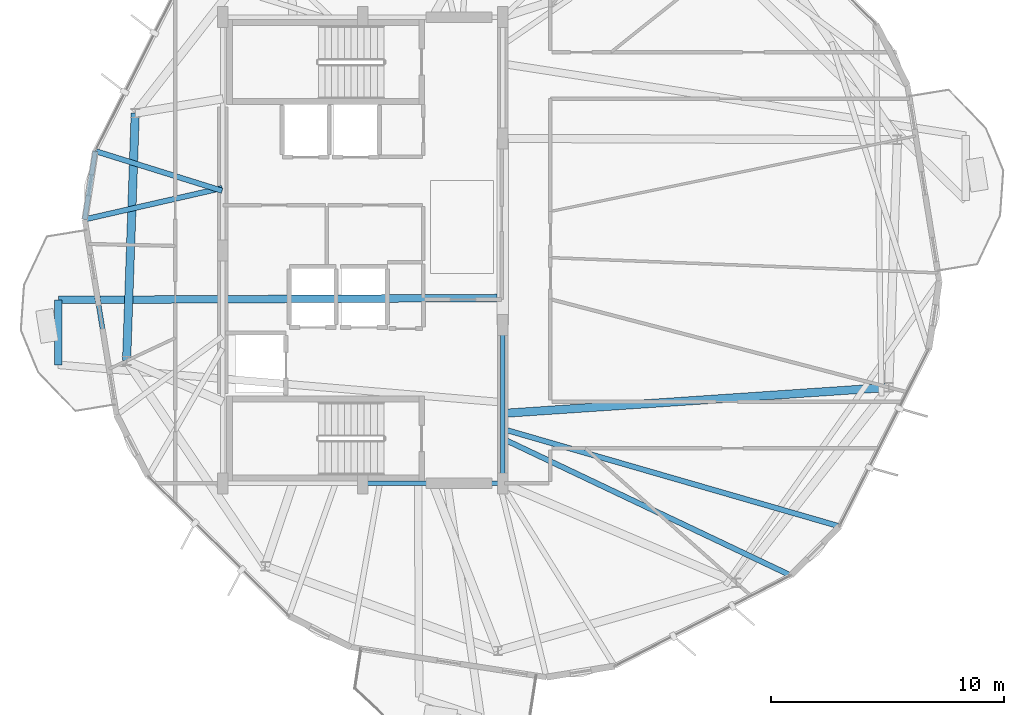
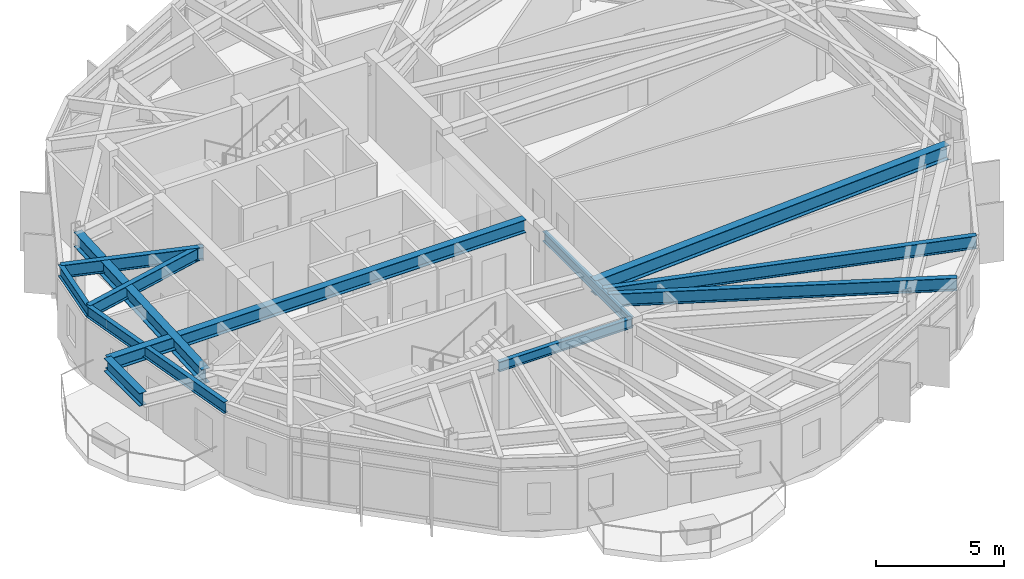
# One storey, part 6 of 22: 12 beams.
"""IFC4 building model written with IfcOpenShell, lengths in metres."""

import ifcopenshell
import ifcopenshell.guid

model = None  # the IFC model being written
_history = None  # IfcOwnerHistory: only IFC2X3 demands one
_inside = {}  # id of a spatial element -> (the spatial element, [elements in it])
_under = {}  # id of a project, library or spatial element -> (it, [spatial elements below it])
_declared = {}  # id of a project -> (the project, [libraries it declares])
_typed = {}  # id of a type object -> (the type object, [elements of that type])
_made_of = {}  # id of a material, layer set ... -> (it, [elements and type objects made of it])


def new_model(schema):
    """Start an empty IFC model of exactly this schema.

    Asked for "IFC4X3", IfcOpenShell would pick the latest addendum, in which some entities
    have other attributes; the version numbers below select the first issue.
    IFC2X3 requires an IfcOwnerHistory on every rooted entity: one is made here for all.
    """
    global model, _history
    if schema == "IFC4X3":
        model = ifcopenshell.file(schema_version=(4, 3, 0, 0))
    else:
        model = ifcopenshell.file(schema=schema)
    _inside.clear()
    _under.clear()
    _declared.clear()
    _typed.clear()
    _made_of.clear()
    _history = None
    if model.schema == "IFC2X3":
        org = make("IfcOrganization", Name="unknown")
        user = make(
            "IfcPersonAndOrganization",
            ThePerson=make("IfcPerson", FamilyName="unknown"),
            TheOrganization=org,
        )
        app = make(
            "IfcApplication",
            ApplicationDeveloper=org,
            Version="unknown",
            ApplicationFullName="unknown",
            ApplicationIdentifier="unknown",
        )
        _history = make(
            "IfcOwnerHistory",
            OwningUser=user,
            OwningApplication=app,
            ChangeAction="ADDED",
            CreationDate=0,
        )
    return model


def make(cls, **values):
    """One entity of the class cls with the attributes given. An attribute that is None is left unset."""
    return model.create_entity(
        cls, **{name: value for name, value in values.items() if value is not None}
    )


def rooted(cls, **values):
    """An entity with a GlobalId (a new one), such as an element, a storey or a relation."""
    return make(cls, GlobalId=ifcopenshell.guid.new(), OwnerHistory=_history, **values)


def si_unit(unit_type, name, prefix=None):
    """IfcSIUnit, for example si_unit("LENGTHUNIT", "METRE", prefix="MILLI")."""
    return make("IfcSIUnit", UnitType=unit_type, Prefix=prefix, Name=name)


def assignment(units):
    """IfcUnitAssignment: the units of a project."""
    return None if units is None else make("IfcUnitAssignment", Units=units)


def point(xyz):
    """IfcCartesianPoint."""
    return None if xyz is None else make("IfcCartesianPoint", Coordinates=xyz)


def direction(xyz):
    """IfcDirection."""
    return None if xyz is None else make("IfcDirection", DirectionRatios=xyz)


def frame(location, z_axis=None, x_axis=None):
    """IfcAxis2Placement3D, a coordinate frame: its origin and axes. An axis left out is left unset."""
    return make(
        "IfcAxis2Placement3D",
        Location=point(location),
        Axis=direction(z_axis),
        RefDirection=direction(x_axis),
    )


def frame_2d(location, x_axis=None):
    """IfcAxis2Placement2D, a coordinate frame in the plane: its origin and x axis."""
    return make(
        "IfcAxis2Placement2D", Location=point(location), RefDirection=direction(x_axis)
    )


def origin():
    """The frame at (0, 0, 0) with its axes left unset."""
    return frame((0.0, 0.0, 0.0))


def origin_2d():
    """The frame at (0, 0) in the plane with its x axis left unset."""
    return frame_2d((0.0, 0.0))


def place(relative_to, where):
    """IfcLocalPlacement: puts the frame where relative to a parent placement (None: the world)."""
    return make(
        "IfcLocalPlacement", PlacementRelTo=relative_to, RelativePlacement=where
    )


def context(
    kind, dimensions, precision=None, world=None, true_north=None, identifier=None
):
    """IfcGeometricRepresentationContext, for example the 3D "Model" context."""
    return make(
        "IfcGeometricRepresentationContext",
        ContextIdentifier=identifier,
        ContextType=kind,
        CoordinateSpaceDimension=dimensions,
        Precision=precision,
        WorldCoordinateSystem=world,
        TrueNorth=true_north,
    )


def subcontext(parent, identifier, kind, view, scale=None):
    """IfcGeometricRepresentationSubContext, for example "Body" below "Model"."""
    return make(
        "IfcGeometricRepresentationSubContext",
        ContextIdentifier=identifier,
        ContextType=kind,
        ParentContext=parent,
        TargetScale=scale,
        TargetView=view,
    )


def project(units=None, contexts=None):
    """IfcProject with its units and contexts."""
    return rooted(
        "IfcProject",
        Name="project",
        RepresentationContexts=contexts,
        UnitsInContext=assignment(units),
    )


def spatial(cls, under=None, at=None, **own):
    """A site, building, storey or space (cls), placed at a placement, below another one or the project."""
    s = rooted(cls, ObjectPlacement=at, **own)
    if under is not None:
        _under.setdefault(under.id(), (under, []))[1].append(s)
    return s


def profile(cls, at=None, kind="AREA", **sizes):
    """A parametric profile (cls). Its sizes go by their IFC names, for example OverallWidth=200.0."""
    return make(cls, ProfileType=kind, Position=at, **sizes)


def i_section(**sizes):
    """IfcIShapeProfileDef."""
    return profile("IfcIShapeProfileDef", **sizes)


def extrude(swept, where, along, depth):
    """IfcExtrudedAreaSolid: the profile swept, set in the frame where, extruded along a direction by depth."""
    return make(
        "IfcExtrudedAreaSolid",
        SweptArea=swept,
        Position=where,
        ExtrudedDirection=direction(along),
        Depth=depth,
    )


def shape(context_of_items, identifier, shape_type, items):
    """IfcShapeRepresentation: the items that make up one representation, for example the "Body"."""
    return make(
        "IfcShapeRepresentation",
        ContextOfItems=context_of_items,
        RepresentationIdentifier=identifier,
        RepresentationType=shape_type,
        Items=items,
    )


def material(Name=None, Category=None):
    """IfcMaterial."""
    return make("IfcMaterial", Name=Name, Category=Category)


def material_profile(
    of_material, cross_section, Name=None, Category=None, Priority=None
):
    """IfcMaterialProfile: a cross section and its material."""
    return make(
        "IfcMaterialProfile",
        Name=Name,
        Material=of_material,
        Profile=cross_section,
        Priority=Priority,
        Category=Category,
    )


def profile_set(profiles, Name=None, composite=None):
    """IfcMaterialProfileSet."""
    return make(
        "IfcMaterialProfileSet",
        Name=Name,
        MaterialProfiles=profiles,
        CompositeProfile=composite,
    )


def made_of(thing, what):
    """Note that an element or type object is made of a material, layer set ...; save() writes the relation."""
    if what is not None:
        _made_of.setdefault(what.id(), (what, []))[1].append(thing)
    return thing


def type_object(cls, material=None, **own):
    """A type object (cls), such as IfcWallType, which elements share."""
    return made_of(rooted(cls, **own), material)


def element(
    cls,
    number,
    at=None,
    inside=None,
    cuts=None,
    type_object=None,
    material=None,
    context=None,
    identifier="Body",
    shape_type=None,
    held_by="IfcProductDefinitionShape",
    body=None,
    shapes=None,
    **own,
):
    """One element of the class cls, such as IfcWall. Its Tag is "e" and its number.

    at: its placement. inside: the storey or other place that contains it. cuts: it is an
    opening in that element (IfcRelVoidsElement). A single representation is given by context,
    identifier, shape_type and body (its items); several are given by shapes. held_by: the class
    of the entity that holds the representations. save() writes the other relations.
    """
    e = rooted(cls, Tag="e%d" % number, ObjectPlacement=at, **own)
    if body is not None:
        shapes = [shape(context, identifier, shape_type, body)]
    if shapes is not None:
        e.Representation = make(held_by, Representations=shapes)
    if inside is not None:
        _inside.setdefault(inside.id(), (inside, []))[1].append(e)
    if cuts is not None:
        rooted(
            "IfcRelVoidsElement", RelatingBuildingElement=cuts, RelatedOpeningElement=e
        )
    if type_object is not None:
        _typed.setdefault(type_object.id(), (type_object, []))[1].append(e)
    return made_of(e, material)


def aggregate(whole, parts):
    """IfcRelAggregates: a whole, such as a stair, and the parts it consists of."""
    return rooted("IfcRelAggregates", RelatingObject=whole, RelatedObjects=parts)


def save(model, path):
    """Write the relations noted so far, then the file.

    IfcRelAggregates (storeys below a building ...), IfcRelContainedInSpatialStructure (elements
    in a storey), IfcRelDefinesByType, IfcRelAssociatesMaterial and IfcRelDeclares: one each for
    every whole, place, type object, material and project.
    """
    for whole, parts in _under.values():
        aggregate(whole, parts)
    for where, things in _inside.values():
        rooted(
            "IfcRelContainedInSpatialStructure",
            RelatedElements=things,
            RelatingStructure=where,
        )
    for kind, things in _typed.values():
        rooted("IfcRelDefinesByType", RelatedObjects=things, RelatingType=kind)
    for what, things in _made_of.values():
        rooted("IfcRelAssociatesMaterial", RelatedObjects=things, RelatingMaterial=what)
    for by, libraries in _declared.values():
        rooted("IfcRelDeclares", RelatingContext=by, RelatedDefinitions=libraries)
    model.write(path)


model = new_model("IFC4")

# Units and contexts
model_context = context("Model", 3, precision=1e-05, world=origin(), true_north=direction((0.0, 1.0)))
body_context = subcontext(model_context, "Body", "Model", "MODEL_VIEW")
ifc_project = project(units=[si_unit("LENGTHUNIT", "METRE"), si_unit("AREAUNIT", "SQUARE_METRE"), si_unit("VOLUMEUNIT", "CUBIC_METRE"), si_unit("PLANEANGLEUNIT", "RADIAN"), si_unit("MASSUNIT", "GRAM", prefix="KILO")], contexts=[model_context])

# Site, building, storey
site_placement = place(None, origin())
site = spatial("IfcSite", under=ifc_project, at=site_placement, CompositionType="ELEMENT")
building_placement = place(site_placement, origin())
building = spatial("IfcBuilding", under=site, at=building_placement, Name="Soratama Intermodal Tower", CompositionType="ELEMENT")
storey_placement = place(building_placement, frame((0.0, 0.0, 265.0)))
storey = spatial("IfcBuildingStorey", under=building, at=storey_placement, Name="L67", CompositionType="ELEMENT", Elevation=265.0)

# Beams
ifc_material_1 = material(Name="Structural steel ASTM A992 Grade 50", Category="steel")
ifc_material_profile_1 = material_profile(ifc_material_1, i_section(OverallWidth=0.324951171875, OverallDepth=0.615966796875, WebThickness=0.013916015625, FlangeThickness=0.021484375, FilletRadius=0.013916015625, at=origin_2d()), Name="W24X117")
ifc_profile_set_1 = profile_set([ifc_material_profile_1], Name="Structural steel ASTM A992 Grade 50")
beam_type_1 = type_object("IfcBeamType", Name="BM-CANT-W24X117", PredefinedType="BEAM", material=ifc_profile_set_1)
beam_1_placement = place(storey_placement, frame((25.54296875, 22.867919921875, 3.14208984375), z_axis=(-0.003247021058, -0.999994728413, 0.0), x_axis=(0.999994728413, -0.003247021058, 0.0)))
element("IfcBeam", 1, at=beam_1_placement, inside=storey, type_object=beam_type_1, Name="BM-L67-CBHDR-2", PredefinedType="BEAM", context=body_context, shape_type="SweptSolid", body=[
    extrude(i_section(OverallWidth=0.324951171875, OverallDepth=0.615966796875, WebThickness=0.013916015625, FlangeThickness=0.021484375, FilletRadius=0.013916015625, at=origin_2d()), origin(), (0.0, 0.0, 1.0), 2.781982421875),
])
beam_2_placement = place(storey_placement, frame((44.364990234375, 22.950927734375, 3.14208984375), z_axis=(-0.99999027546, -0.004410100443, 0.0), x_axis=(0.004410100443, -0.99999027546, 0.0)))
element("IfcBeam", 2, at=beam_2_placement, inside=storey, type_object=beam_type_1, Name="BM-L67-CANT-2-1", PredefinedType="BEAM", context=body_context, shape_type="SweptSolid", body=[
    extrude(i_section(OverallWidth=0.324951171875, OverallDepth=0.615966796875, WebThickness=0.013916015625, FlangeThickness=0.021484375, FilletRadius=0.013916015625, at=origin_2d()), origin(), (0.0, 0.0, 1.0), 18.822265625),
])
ifc_material_2 = material(Name="Structural steel ASTM A992 Grade 50", Category="steel")
ifc_material_profile_2 = material_profile(ifc_material_2, i_section(OverallWidth=0.19091796875, OverallDepth=0.4599609375, WebThickness=0.010009765625, FlangeThickness=0.01611328125, FilletRadius=0.010986328125, at=origin_2d()), Name="W18X55")
ifc_profile_set_2 = profile_set([ifc_material_profile_2], Name="Structural steel ASTM A992 Grade 50")
beam_type_2 = type_object("IfcBeamType", Name="BM-FLR-W18X55", PredefinedType="BEAM", material=ifc_profile_set_2)
beam_3_placement = place(storey_placement, frame((38.60009765625, 15.0, 3.219970703125), z_axis=(1.0, 0.0, 0.0), x_axis=(0.0, 1.0, 0.0)))
element("IfcBeam", 3, at=beam_3_placement, inside=storey, type_object=beam_type_2, Name="BM-L67-CRING-02", PredefinedType="BEAM", context=body_context, shape_type="SweptSolid", body=[
    extrude(i_section(OverallWidth=0.19091796875, OverallDepth=0.4599609375, WebThickness=0.010009765625, FlangeThickness=0.01611328125, FilletRadius=0.010986328125, at=origin_2d()), origin(), (0.0, 0.0, 1.0), 6.0),
])
beam_4_placement = place(storey_placement, frame((44.60009765625, 15.0, 3.219970703125), z_axis=(0.0, 1.0, 0.0), x_axis=(-1.0, 0.0, 0.0)))
element("IfcBeam", 4, at=beam_4_placement, inside=storey, type_object=beam_type_2, Name="BM-L67-CRING-03", PredefinedType="BEAM", context=body_context, shape_type="SweptSolid", body=[
    extrude(i_section(OverallWidth=0.19091796875, OverallDepth=0.4599609375, WebThickness=0.010009765625, FlangeThickness=0.01611328125, FilletRadius=0.010986328125, at=origin_2d()), origin(), (0.0, 0.0, 1.0), 6.800048828125),
])
ifc_material_3 = material(Name="Structural steel ASTM A992 Grade 50", Category="steel")
ifc_material_profile_3 = material_profile(ifc_material_3, i_section(OverallWidth=0.35498046875, OverallDepth=0.695068359375, WebThickness=0.015380859375, FlangeThickness=0.02490234375, FilletRadius=0.01611328125, at=origin_2d()), Name="W27X146")
ifc_profile_set_3 = profile_set([ifc_material_profile_3], Name="Structural steel ASTM A992 Grade 50")
beam_type_3 = type_object("IfcBeamType", Name="BM-RING-W27X146", PredefinedType="BEAM", material=ifc_profile_set_3)
beam_5_placement = place(storey_placement, frame((28.8369140625, 30.883056640625, 3.1025390625), z_axis=(-0.034885453879, -0.999391317307, 0.0), x_axis=(0.999391317307, -0.034885453879, 0.0)))
element("IfcBeam", 5, at=beam_5_placement, inside=storey, type_object=beam_type_3, Name="BM-L67-RING-05", PredefinedType="BEAM", context=body_context, shape_type="SweptSolid", body=[
    extrude(i_section(OverallWidth=0.35498046875, OverallDepth=0.695068359375, WebThickness=0.015380859375, FlangeThickness=0.02490234375, FilletRadius=0.01611328125, at=origin_2d()), origin(), (0.0, 0.0, 1.0), 10.630615234375),
])
beam_6_placement = place(storey_placement, frame((44.60009765625, 18.0, 3.1025390625), z_axis=(0.997733912176, 0.067283285401, 0.0), x_axis=(-0.067283285401, 0.997733912176, 0.0)))
element("IfcBeam", 6, at=beam_6_placement, inside=storey, type_object=beam_type_3, Name="BM-L67-RAD-10", PredefinedType="BEAM", context=body_context, shape_type="SweptSolid", body=[
    extrude(i_section(OverallWidth=0.35498046875, OverallDepth=0.695068359375, WebThickness=0.015380859375, FlangeThickness=0.02490234375, FilletRadius=0.01611328125, at=origin_2d()), origin(), (0.0, 0.0, 1.0), 16.6005859375),
])
ifc_material_4 = material(Name="Structural steel ASTM A992 Grade 50", Category="steel")
ifc_material_profile_4 = material_profile(ifc_material_4, i_section(OverallWidth=0.2099609375, OverallDepth=0.537109375, WebThickness=0.010986328125, FlangeThickness=0.017333984375, FilletRadius=0.012939453125, at=origin_2d()), Name="W21X68")
ifc_profile_set_4 = profile_set([ifc_material_profile_4], Name="Structural steel ASTM A992 Grade 50")
beam_type_4 = type_object("IfcBeamType", Name="BM-SPN-W21X68", PredefinedType="SPANDREL", material=ifc_profile_set_4)
beam_7_placement = place(storey_placement, frame((27.1220703125, 29.256103515625, 3.181396484375), z_axis=(-0.152403464269, -0.988318361703, 0.0), x_axis=(0.988318361703, -0.152403464269, 0.0)))
element("IfcBeam", 7, at=beam_7_placement, inside=storey, type_object=beam_type_4, Name="BS-L67-CRN03", PredefinedType="SPANDREL", context=body_context, shape_type="SweptSolid", body=[
    extrude(i_section(OverallWidth=0.2099609375, OverallDepth=0.537109375, WebThickness=0.010986328125, FlangeThickness=0.017333984375, FilletRadius=0.012939453125, at=origin_2d()), origin(), (0.0, 0.0, 1.0), 2.966796875),
])
beam_8_placement = place(storey_placement, frame((26.669921875, 26.323974609375, 3.181396484375), z_axis=(0.160583201539, -0.98702230744, 0.0), x_axis=(0.98702230744, 0.160583201539, 0.0)))
element("IfcBeam", 8, at=beam_8_placement, inside=storey, type_object=beam_type_4, Name="BS-L67-F04", PredefinedType="SPANDREL", context=body_context, shape_type="SweptSolid", body=[
    extrude(i_section(OverallWidth=0.2099609375, OverallDepth=0.537109375, WebThickness=0.010986328125, FlangeThickness=0.017333984375, FilletRadius=0.012939453125, at=origin_2d()), origin(), (0.0, 0.0, 1.0), 8.500244140625),
])
ifc_material_5 = material(Name="Structural steel ASTM A992 Grade 50", Category="steel")
ifc_material_profile_5 = material_profile(ifc_material_5, i_section(OverallWidth=0.22900390625, OverallDepth=0.612060546875, WebThickness=0.011962890625, FlangeThickness=0.01953125, FilletRadius=0.012939453125, at=origin_2d()), Name="W24X84")
ifc_profile_set_5 = profile_set([ifc_material_profile_5], Name="Structural steel ASTM A992 Grade 50")
beam_type_5 = type_object("IfcBeamType", Name="BM-TIE-W24X84", PredefinedType="BEAM", material=ifc_profile_set_5)
beam_9_placement = place(storey_placement, frame((32.56201171875, 27.552001953125, 3.14404296875), z_axis=(-0.954273997855, 0.298933332063, 0.0), x_axis=(-0.298933332063, -0.954273997855, 0.0)))
element("IfcBeam", 9, at=beam_9_placement, inside=storey, type_object=beam_type_5, Name="BM-L67-TIE1-03", PredefinedType="BEAM", context=body_context, shape_type="SweptSolid", body=[
    extrude(i_section(OverallWidth=0.22900390625, OverallDepth=0.612060546875, WebThickness=0.011962890625, FlangeThickness=0.01953125, FilletRadius=0.012939453125, at=origin_2d()), origin(), (0.0, 0.0, 1.0), 5.70068359375),
])
beam_10_placement = place(storey_placement, frame((32.56103515625, 27.669921875, 3.14404296875), z_axis=(-0.974879815366, -0.222731554998, 0.0), x_axis=(0.222731554998, -0.974879815366, 0.0)))
element("IfcBeam", 10, at=beam_10_placement, inside=storey, type_object=beam_type_5, Name="BM-L67-TIE0-04", PredefinedType="BEAM", context=body_context, shape_type="SweptSolid", body=[
    extrude(i_section(OverallWidth=0.22900390625, OverallDepth=0.612060546875, WebThickness=0.011962890625, FlangeThickness=0.01953125, FilletRadius=0.012939453125, at=origin_2d()), origin(), (0.0, 0.0, 1.0), 6.04296875),
])
beam_11_placement = place(storey_placement, frame((44.635986328125, 16.89892578125, 3.14404296875), z_axis=(0.903390683025, -0.428818462549, 0.0), x_axis=(0.428818462549, 0.903390683025, 0.0)))
element("IfcBeam", 11, at=beam_11_placement, inside=storey, type_object=beam_type_5, Name="BM-L67-TIE1-07", PredefinedType="BEAM", context=body_context, shape_type="SweptSolid", body=[
    extrude(i_section(OverallWidth=0.22900390625, OverallDepth=0.612060546875, WebThickness=0.011962890625, FlangeThickness=0.01953125, FilletRadius=0.012939453125, at=origin_2d()), origin(), (0.0, 0.0, 1.0), 13.64404296875),
])
beam_12_placement = place(storey_placement, frame((44.637939453125, 17.322998046875, 3.14404296875), z_axis=(0.960639714928, -0.277797296789, 0.0), x_axis=(0.277797296789, 0.960639714928, 0.0)))
element("IfcBeam", 12, at=beam_12_placement, inside=storey, type_object=beam_type_5, Name="BM-L67-TIE0-08", PredefinedType="BEAM", context=body_context, shape_type="SweptSolid", body=[
    extrude(i_section(OverallWidth=0.22900390625, OverallDepth=0.612060546875, WebThickness=0.011962890625, FlangeThickness=0.01953125, FilletRadius=0.012939453125, at=origin_2d()), origin(), (0.0, 0.0, 1.0), 15.003662109375),
])

save(model, "model.ifc")
